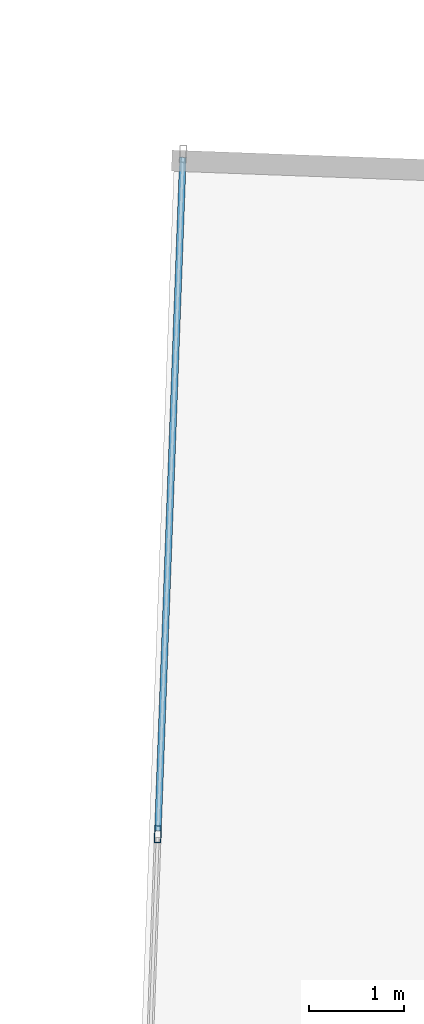
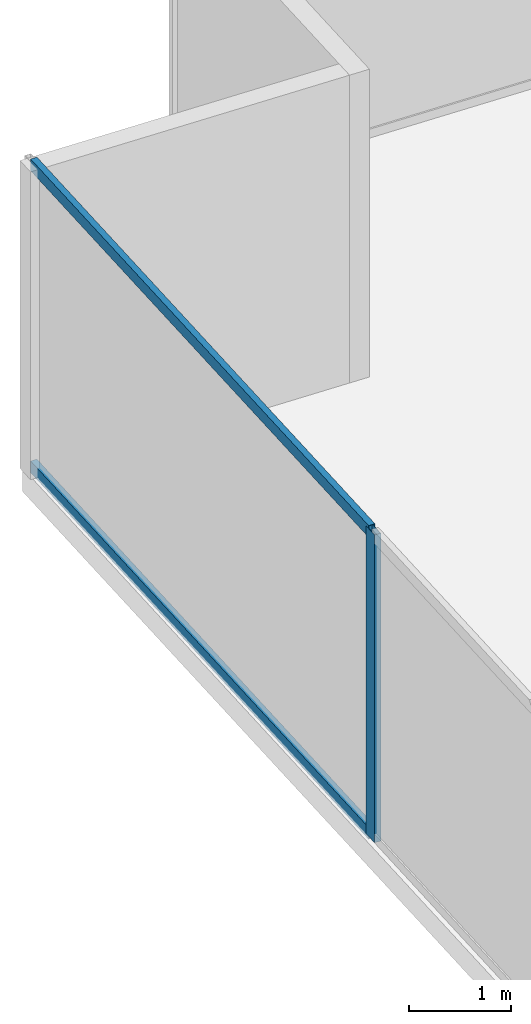
# One storey, part 19 of 30: 3 members, 1 element without a shape of its own.
"""IFC4 building model written with IfcOpenShell, lengths in metres."""

from ifc_helpers import new_model, si_unit, direction, frame, origin, origin_2d, place, context, subcontext, project, spatial, hollow_rectangle, extrude, source, transform, mapped, material, material_profile, profile_set, type_object, type_shapes, element, aggregate, save


model = new_model("IFC4")

# Units and contexts
model_context = context("Model", 3, precision=1e-05, world=origin(), true_north=direction((0.0, 1.0)))
body_context = subcontext(model_context, "Body", "Model", "MODEL_VIEW")
ifc_project = project(units=[si_unit("LENGTHUNIT", "METRE"), si_unit("AREAUNIT", "SQUARE_METRE"), si_unit("VOLUMEUNIT", "CUBIC_METRE"), si_unit("PLANEANGLEUNIT", "RADIAN"), si_unit("MASSUNIT", "GRAM", prefix="KILO")], contexts=[model_context])

# Site, building, storey
site_placement = place(None, origin())
site = spatial("IfcSite", under=ifc_project, at=site_placement, CompositionType="ELEMENT")
building_placement = place(site_placement, origin())
building = spatial("IfcBuilding", under=site, at=building_placement, Name="Krantzveldt Concourse Tower", CompositionType="ELEMENT")
storey_placement = place(building_placement, frame((0.0, 0.0, 36.85009765625)))
storey = spatial("IfcBuildingStorey", under=building, at=storey_placement, Name="L08", CompositionType="ELEMENT", Elevation=36.85009765625)

# Curtain wall, members
ifc_material = material(Name="Anodised aluminium 6063-T6", Category="aluminium")
curtain_wall_type = type_object("IfcCurtainWallType", Name="CW2", PredefinedType="USERDEFINED", material=ifc_material)
curtain_wall_placement = place(storey_placement, origin())
curtain_wall = element("IfcCurtainWall", 1, at=curtain_wall_placement, inside=storey, type_object=curtain_wall_type, Name="CW-L08-F01", ObjectType="UNITISED CURTAIN WALL", PredefinedType="USERDEFINED")
ifc_material_profile_1 = material_profile(ifc_material, hollow_rectangle(XDim=0.070068359375, YDim=0.179931640625, WallThickness=0.0048828125, at=origin_2d()), Name="Anodised aluminium 6063-T6", Category="aluminium")
ifc_profile_set_1 = profile_set([ifc_material_profile_1], Name="Anodised aluminium 6063-T6 - ALU-MULL 180x70x5")
member_type_1 = type_object("IfcMemberType", Name="CW-MUL-180", PredefinedType="MULLION", material=ifc_profile_set_1)
shared_shape_1 = source(origin(), body_context, "Body", "SweptSolid", [
    extrude(hollow_rectangle(XDim=0.070068359375, YDim=0.179931640625, WallThickness=0.0048828125, at=origin_2d()), origin(), (0.0, 0.0, 1.0), 3.669921875),
])
type_shapes(member_type_1, [shared_shape_1])
member_1_placement = place(storey_placement, frame((11.638671875, 41.947021484375, 0.0), z_axis=(0.0, 0.0, 1.0), x_axis=(0.999312308986, -0.037079766834, 0.0)))
member_1 = element("IfcMember", 2, at=member_1_placement, type_object=member_type_1, Name="CW-Z12 mullion 2", PredefinedType="MULLION", context=body_context, shape_type="MappedRepresentation", body=[
    mapped(shared_shape_1, transform((0.0, 0.0, 0.0), x_axis=(1.0, 0.0, 0.0), y_axis=(0.0, 1.0, 0.0), z_axis=(0.0, 0.0, 1.0), scale=1.0)),
])
ifc_material_profile_2 = material_profile(ifc_material, hollow_rectangle(XDim=0.070068359375, YDim=0.139892578125, WallThickness=0.0048828125, at=origin_2d()), Name="Anodised aluminium 6063-T6", Category="aluminium")
ifc_profile_set_2 = profile_set([ifc_material_profile_2], Name="Anodised aluminium 6063-T6 - ALU-TRAN 140x70x5")
member_type_2 = type_object("IfcMemberType", Name="CW-TRN-150", PredefinedType="USERDEFINED", material=ifc_profile_set_2)
shared_shape_2 = source(origin(), body_context, "Body", "SweptSolid", [
    extrude(hollow_rectangle(XDim=0.070068359375, YDim=0.139892578125, WallThickness=0.0048828125, at=origin_2d()), origin(), (0.0, 0.0, 1.0), 7.0615234375),
])
type_shapes(member_type_2, [shared_shape_2])
member_2_placement = place(storey_placement, frame((11.90185546875, 49.038818359375, 0.034912109375), z_axis=(-0.037097336281, -0.999311656912, 0.0), x_axis=(0.999311656912, -0.037097336281, 0.0)))
member_2 = element("IfcMember", 3, at=member_2_placement, type_object=member_type_2, Name="CW-Z12 transom 1.1", ObjectType="TRANSOM", PredefinedType="USERDEFINED", context=body_context, shape_type="MappedRepresentation", body=[
    mapped(shared_shape_2, transform((0.0, 0.0, 0.0), x_axis=(1.0, 0.0, 0.0), y_axis=(0.0, 1.0, 0.0), z_axis=(0.0, 0.0, 1.0), scale=1.0)),
])
member_3_placement = place(storey_placement, frame((11.90185546875, 49.038818359375, 3.635009765625), z_axis=(-0.037097336281, -0.999311656912, 0.0), x_axis=(0.999311656912, -0.037097336281, 0.0)))
member_3 = element("IfcMember", 4, at=member_3_placement, type_object=member_type_2, Name="CW-Z12 transom 1.2", ObjectType="TRANSOM", PredefinedType="USERDEFINED", context=body_context, shape_type="MappedRepresentation", body=[
    mapped(shared_shape_2, transform((0.0, 0.0, 0.0), x_axis=(1.0, 0.0, 0.0), y_axis=(0.0, 1.0, 0.0), z_axis=(0.0, 0.0, 1.0), scale=1.0)),
])
aggregate(curtain_wall, [member_1, member_2, member_3])

save(model, "model.ifc")
